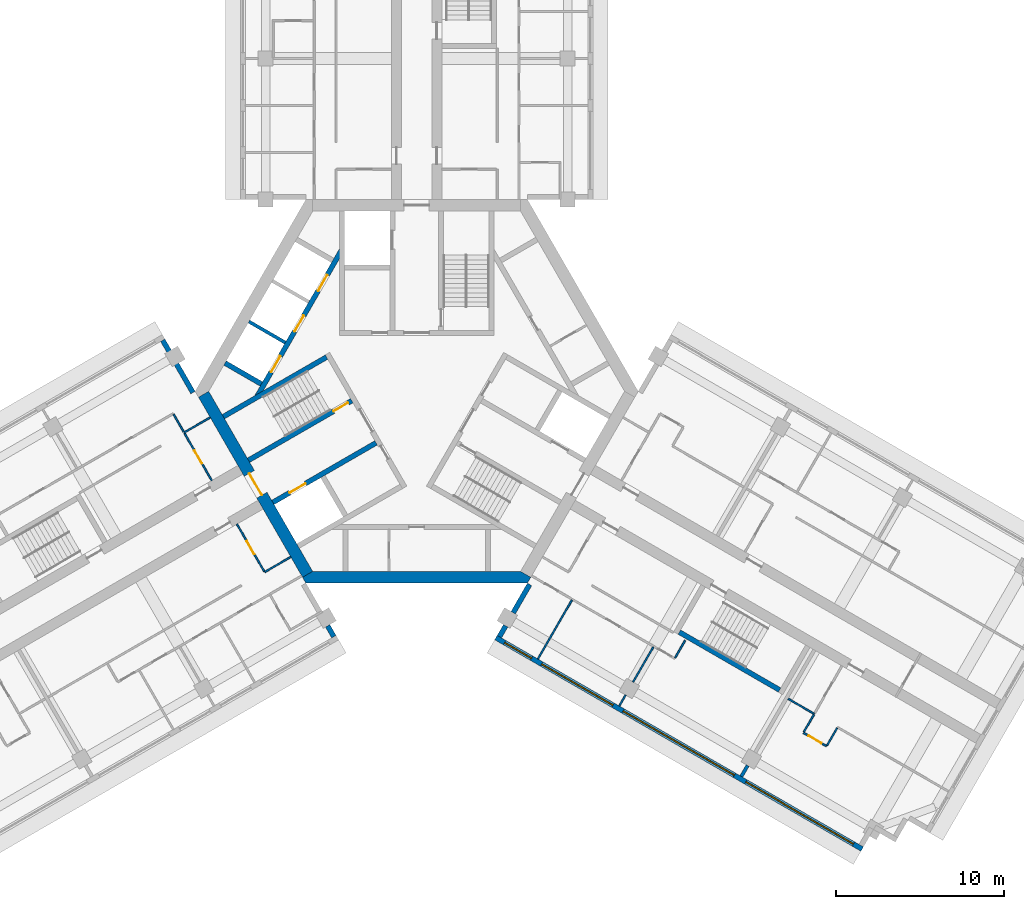
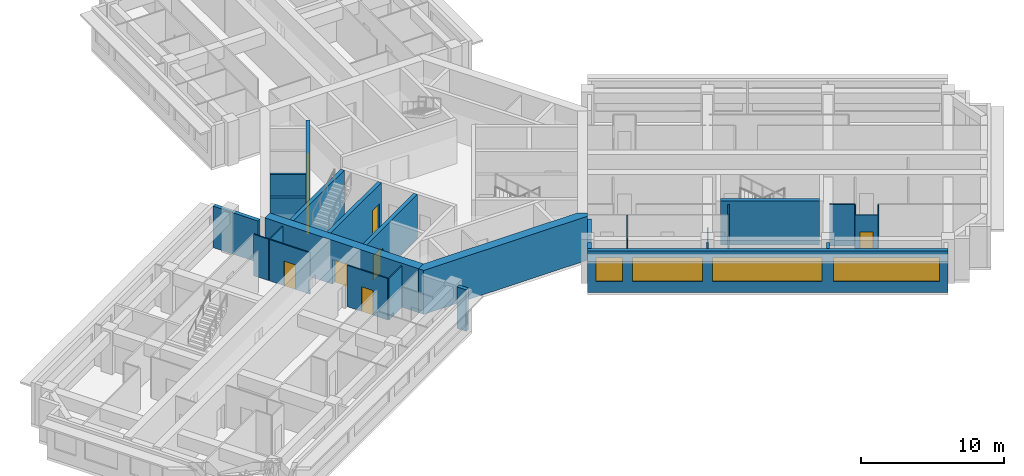
# One storey, part 4 of 10: 28 walls, 9 doors, 4 windows, 13 openings.
"""IFC4 building model written with IfcOpenShell, lengths in metres."""

from ifc_helpers import new_model, si_unit, direction, frame, frame_2d, origin, place, context, subcontext, project, spatial, polyline, rectangle, outline, extrude, material, layer, layer_set, type_object, element, fill, save


model = new_model("IFC4")

# Units and contexts
model_context = context("Model", 3, precision=1e-05, world=origin(), true_north=direction((0.0, 1.0)))
body_context = subcontext(model_context, "Body", "Model", "MODEL_VIEW")
ifc_project = project(units=[si_unit("LENGTHUNIT", "METRE"), si_unit("AREAUNIT", "SQUARE_METRE"), si_unit("VOLUMEUNIT", "CUBIC_METRE"), si_unit("PLANEANGLEUNIT", "RADIAN"), si_unit("MASSUNIT", "GRAM", prefix="KILO")], contexts=[model_context])

# Site, building, storey
site_placement = place(None, origin())
site = spatial("IfcSite", under=ifc_project, at=site_placement, CompositionType="ELEMENT")
building_placement = place(site_placement, origin())
building = spatial("IfcBuilding", under=site, at=building_placement, Name="Impinga Residences", CompositionType="ELEMENT")
storey_placement = place(building_placement, frame((0.0, 0.0, 192.25)))
storey = spatial("IfcBuildingStorey", under=building, at=storey_placement, Name="L47", CompositionType="ELEMENT", Elevation=192.25)

# Wall
ifc_material_1 = material(Name="Terracotta rainscreen on blockwork", Category="masonry")
ifc_layer_1 = layer(ifc_material_1, 0.300048828125)
ifc_layer_set_1 = layer_set([ifc_layer_1], Name="EW1 external wall, terracotta rainscreen on blockwork 300")
wall_type_1 = type_object("IfcWallType", Name="EW1 external wall, terracotta rainscreen on blockwork 300", PredefinedType="SOLIDWALL", material=ifc_layer_set_1)
wall_1_placement = place(storey_placement, frame((-15.1298828125, 3.042724609375, 0.0), z_axis=(0.0, 0.0, 1.0), x_axis=(0.500012057535, -0.866018442252, 0.0)))
element("IfcWall", 1, at=wall_1_placement, inside=storey, type_object=wall_type_1, Name="External wall EW1 L47", PredefinedType="SOLIDWALL", context=body_context, shape_type="SweptSolid", body=[
    extrude(rectangle(XDim=3.60009765625, YDim=0.300048828125, at=frame_2d((1.800048828125, 0.0))), origin(), (0.0, 0.0, 1.0), 3.530029296875),
])

# Wall, openings, windows
wall_2_placement = place(storey_placement, frame((26.548828125, -27.279052734375, 0.0), z_axis=(0.0, 0.0, 1.0), x_axis=(-0.866026832479, 0.499997525421, 0.0)))
wall_2 = element("IfcWall", 2, at=wall_2_placement, inside=storey, type_object=wall_type_1, Name="External wall EW1 L47", PredefinedType="SOLIDWALL", context=body_context, shape_type="SweptSolid", body=[
    extrude(rectangle(XDim=25.199951171875, YDim=0.300048828125, at=frame_2d((12.60009765625, 0.0))), origin(), (0.0, 0.0, 1.0), 3.530029296875),
])
opening_1_placement = place(wall_2_placement, frame((0.60009765625, 0.0, 0.89990234375)))
opening_1 = element("IfcOpeningElement", 3, at=opening_1_placement, cuts=wall_2, Name="Opening W12", PredefinedType="OPENING", context=body_context, shape_type="SweptSolid", body=[
    extrude(rectangle(XDim=7.39990234375, YDim=2.050048828125, at=frame_2d((3.699951171875, 1.02490234375))), frame((0.0, 0.159912109375, 0.0), z_axis=(0.0, -1.0, 0.0), x_axis=(1.0, 0.0, 0.0)), (0.0, 0.0, 1.0), 0.320068359375),
])
opening_2_placement = place(wall_2_placement, frame((8.800048828125, 0.0, 0.89990234375)))
opening_2 = element("IfcOpeningElement", 4, at=opening_2_placement, cuts=wall_2, Name="Opening W13", PredefinedType="OPENING", context=body_context, shape_type="SweptSolid", body=[
    extrude(rectangle(XDim=7.64990234375, YDim=2.050048828125, at=frame_2d((3.824951171875, 1.02490234375))), frame((0.0, 0.159912109375, 0.0), z_axis=(0.0, -1.0, 0.0), x_axis=(1.0, 0.0, 0.0)), (0.0, 0.0, 1.0), 0.320068359375),
])
opening_3_placement = place(wall_2_placement, frame((17.14990234375, 0.0, 0.89990234375)))
opening_3 = element("IfcOpeningElement", 5, at=opening_3_placement, cuts=wall_2, Name="Opening W16", PredefinedType="OPENING", context=body_context, shape_type="SweptSolid", body=[
    extrude(rectangle(XDim=4.89990234375, YDim=2.050048828125, at=frame_2d((2.449951171875, 1.02490234375))), frame((0.0, 0.159912109375, 0.0), z_axis=(0.0, -1.0, 0.0), x_axis=(1.0, 0.0, 0.0)), (0.0, 0.0, 1.0), 0.320068359375),
])
opening_4_placement = place(wall_2_placement, frame((22.75, 0.0, 0.89990234375)))
opening_4 = element("IfcOpeningElement", 6, at=opening_4_placement, cuts=wall_2, Name="Opening W15", PredefinedType="OPENING", context=body_context, shape_type="SweptSolid", body=[
    extrude(rectangle(XDim=1.85009765625, YDim=2.050048828125, at=frame_2d((0.925048828125, 1.02490234375))), frame((0.0, 0.159912109375, 0.0), z_axis=(0.0, -1.0, 0.0), x_axis=(1.0, 0.0, 0.0)), (0.0, 0.0, 1.0), 0.320068359375),
])
ifc_material_2 = material(Name="Aluminium window, clear double glazing", Category="aluminium")
window_type_1 = type_object("IfcWindowType", Name="W12 ribbon window 7400x2050", PartitioningType="SINGLE_PANEL", PredefinedType="WINDOW", material=ifc_material_2)
window_1_placement = place(opening_1_placement, origin())
window_1 = element("IfcWindow", 7, at=window_1_placement, inside=storey, type_object=window_type_1, Name="Window L47", OverallHeight=2.050048828125, OverallWidth=7.39990234375, PartitioningType="SINGLE_PANEL", PredefinedType="WINDOW", context=body_context, shape_type="SweptSolid", body=[
    extrude(rectangle(XDim=7.39990234375, YDim=2.050048828125, at=frame_2d((3.699951171875, 1.02490234375))), frame((0.0, 0.030029296875, 0.0), z_axis=(0.0, -1.0, 0.0), x_axis=(1.0, 0.0, 0.0)), (0.0, 0.0, 1.0), 0.06005859375),
])
fill(opening_1, window_1)
window_type_2 = type_object("IfcWindowType", Name="W13 ribbon window 7650x2050", PartitioningType="SINGLE_PANEL", PredefinedType="WINDOW", material=ifc_material_2)
window_2_placement = place(opening_2_placement, origin())
window_2 = element("IfcWindow", 8, at=window_2_placement, inside=storey, type_object=window_type_2, Name="Window L47", OverallHeight=2.050048828125, OverallWidth=7.64990234375, PartitioningType="SINGLE_PANEL", PredefinedType="WINDOW", context=body_context, shape_type="SweptSolid", body=[
    extrude(rectangle(XDim=7.64990234375, YDim=2.050048828125, at=frame_2d((3.824951171875, 1.02490234375))), frame((0.0, 0.030029296875, 0.0), z_axis=(0.0, -1.0, 0.0), x_axis=(1.0, 0.0, 0.0)), (0.0, 0.0, 1.0), 0.06005859375),
])
fill(opening_2, window_2)
window_type_3 = type_object("IfcWindowType", Name="W15 ribbon window 1850x2050", PartitioningType="SINGLE_PANEL", PredefinedType="WINDOW", material=ifc_material_2)
window_3_placement = place(opening_4_placement, origin())
window_3 = element("IfcWindow", 9, at=window_3_placement, inside=storey, type_object=window_type_3, Name="Window L47", OverallHeight=2.050048828125, OverallWidth=1.85009765625, PartitioningType="SINGLE_PANEL", PredefinedType="WINDOW", context=body_context, shape_type="SweptSolid", body=[
    extrude(rectangle(XDim=1.85009765625, YDim=2.050048828125, at=frame_2d((0.925048828125, 1.02490234375))), frame((0.0, 0.030029296875, 0.0), z_axis=(0.0, -1.0, 0.0), x_axis=(1.0, 0.0, 0.0)), (0.0, 0.0, 1.0), 0.06005859375),
])
fill(opening_4, window_3)
window_type_4 = type_object("IfcWindowType", Name="W16 ribbon window 4900x2050", PartitioningType="SINGLE_PANEL", PredefinedType="WINDOW", material=ifc_material_2)
window_4_placement = place(opening_3_placement, origin())
window_4 = element("IfcWindow", 10, at=window_4_placement, inside=storey, type_object=window_type_4, Name="Window L47", OverallHeight=2.050048828125, OverallWidth=4.89990234375, PartitioningType="SINGLE_PANEL", PredefinedType="WINDOW", context=body_context, shape_type="SweptSolid", body=[
    extrude(rectangle(XDim=4.89990234375, YDim=2.050048828125, at=frame_2d((2.449951171875, 1.02490234375))), frame((0.0, 0.030029296875, 0.0), z_axis=(0.0, -1.0, 0.0), x_axis=(1.0, 0.0, 0.0)), (0.0, 0.0, 1.0), 0.06005859375),
])
fill(opening_3, window_4)

# Walls
wall_3_placement = place(storey_placement, frame((4.929931640625, -14.624267578125, 0.0), z_axis=(0.0, 0.0, 1.0), x_axis=(0.499919672301, 0.866071776036, 0.0)))
element("IfcWall", 11, at=wall_3_placement, inside=storey, type_object=wall_type_1, Name="External wall EW1 L47", PredefinedType="SOLIDWALL", context=body_context, shape_type="SweptSolid", body=[
    extrude(rectangle(XDim=0.75, YDim=0.300048828125, at=frame_2d((0.375, 0.0))), origin(), (0.0, 0.0, 1.0), 3.530029296875),
])
wall_4_placement = place(storey_placement, frame((5.7548828125, -13.1953125, 0.0), z_axis=(0.0, 0.0, 1.0), x_axis=(0.500043961785, 0.866000020948, 0.0)))
element("IfcWall", 12, at=wall_4_placement, inside=storey, type_object=wall_type_1, Name="External wall EW1 L47", PredefinedType="SOLIDWALL", context=body_context, shape_type="SweptSolid", body=[
    extrude(rectangle(XDim=1.949951171875, YDim=0.300048828125, at=frame_2d((0.97509765625, 0.0))), origin(), (0.0, 0.0, 1.0), 3.530029296875),
])
wall_5_placement = place(storey_placement, frame((-5.304931640625, -13.974609375, 0.0), z_axis=(0.0, 0.0, 1.0), x_axis=(0.499919672301, -0.866071776036, 0.0)))
element("IfcWall", 13, at=wall_5_placement, inside=storey, type_object=wall_type_1, Name="External wall EW1 L47", PredefinedType="SOLIDWALL", context=body_context, shape_type="SweptSolid", body=[
    extrude(rectangle(XDim=0.75, YDim=0.300048828125, at=frame_2d((0.375, 0.0))), origin(), (0.0, 0.0, 1.0), 3.530029296875),
])
ifc_material_3 = material(Name="Gypsum board on steel studs", Category="steel")
ifc_layer_2 = layer(ifc_material_3, 0.10009765625)
ifc_layer_set_2 = layer_set([ifc_layer_2], Name="Gypsum board on steel studs")
wall_type_2 = type_object("IfcWallType", Name="IP1 partition 100", PredefinedType="PARTITIONING", material=ifc_layer_set_2)
wall_6_placement = place(storey_placement, frame((-7.5, -9.872802734375, 0.0), z_axis=(0.0, 0.0, 1.0), x_axis=(-0.866047807691, -0.499961193289, 0.0)))
element("IfcWall", 14, at=wall_6_placement, inside=storey, type_object=wall_type_2, Name="Partition L47-WA1:DIV0", PredefinedType="PARTITIONING", context=body_context, shape_type="SweptSolid", body=[
    extrude(rectangle(XDim=1.800048828125, YDim=0.10009765625, at=frame_2d((0.89990234375, 0.0))), origin(), (0.0, 0.0, 1.0), 3.530029296875),
])

# Wall, opening, door
wall_7_placement = place(storey_placement, frame((-10.708740234375, -7.914794921875, 0.0), z_axis=(0.0, 0.0, 1.0), x_axis=(0.499984717929, -0.866034226713, 0.0)))
wall_7 = element("IfcWall", 15, at=wall_7_placement, inside=storey, type_object=wall_type_2, Name="Partition L47-WA1:IB1", PredefinedType="PARTITIONING", context=body_context, shape_type="SweptSolid", body=[
    extrude(rectangle(XDim=3.25, YDim=0.10009765625, at=frame_2d((1.625, 0.0))), origin(), (0.0, 0.0, 1.0), 3.530029296875),
])
opening_5_placement = place(wall_7_placement, frame((1.175048828125, 0.0, 0.0)))
opening_5 = element("IfcOpeningElement", 16, at=opening_5_placement, cuts=wall_7, Name="Opening D2", PredefinedType="OPENING", context=body_context, shape_type="SweptSolid", body=[
    extrude(rectangle(XDim=0.89990234375, YDim=2.10009765625, at=frame_2d((0.449951171875, 1.050048828125))), frame((0.0, 0.06005859375, 0.0), z_axis=(0.0, -1.0, 0.0), x_axis=(1.0, 0.0, 0.0)), (0.0, 0.0, 1.0), 0.1201171875),
])
ifc_material_4 = material(Name="Timber door set", Category="wood")
door_type_1 = type_object("IfcDoorType", Name="D2 internal door 900x2100", OperationType="SINGLE_SWING_LEFT", PredefinedType="DOOR", material=ifc_material_4)
door_1_placement = place(opening_5_placement, origin())
door_1 = element("IfcDoor", 17, at=door_1_placement, inside=storey, type_object=door_type_1, Name="Apartment L47-WA1 bathroom door", OperationType="SINGLE_SWING_LEFT", OverallHeight=2.10009765625, OverallWidth=0.89990234375, PredefinedType="DOOR", context=body_context, shape_type="SweptSolid", body=[
    extrude(rectangle(XDim=0.89990234375, YDim=2.10009765625, at=frame_2d((0.449951171875, 1.050048828125))), frame((0.0, 0.02490234375, 0.0), z_axis=(0.0, -1.0, 0.0), x_axis=(1.0, 0.0, 0.0)), (0.0, 0.0, 1.0), 0.050048828125),
])
fill(opening_5, door_1)

# Walls
wall_8_placement = place(storey_placement, frame((-12.300048828125, -1.558837890625, 0.0), z_axis=(0.0, 0.0, 1.0), x_axis=(-0.866047807691, -0.499961193289, 0.0)))
element("IfcWall", 18, at=wall_8_placement, inside=storey, type_object=wall_type_2, Name="Partition L47-WF1:DIV0", PredefinedType="PARTITIONING", context=body_context, shape_type="SweptSolid", body=[
    extrude(rectangle(XDim=1.800048828125, YDim=0.10009765625, at=frame_2d((0.89990234375, 0.0))), origin(), (0.0, 0.0, 1.0), 3.530029296875),
])
wall_9_placement = place(storey_placement, frame((-13.8837890625, -2.41552734375, 0.0), z_axis=(0.0, 0.0, 1.0), x_axis=(-0.500033551112, 0.866006032174, 0.0)))
element("IfcWall", 19, at=wall_9_placement, inside=storey, type_object=wall_type_2, Name="Partition L47-WF1:SE0", PredefinedType="PARTITIONING", context=body_context, shape_type="SweptSolid", body=[
    extrude(rectangle(XDim=1.2001953125, YDim=0.10009765625, at=frame_2d((0.60009765625, 0.0))), origin(), (0.0, 0.0, 1.0), 3.530029296875),
])

# Wall, opening, door
wall_10_placement = place(storey_placement, frame((-12.208740234375, -5.316650390625, 0.0), z_axis=(0.0, 0.0, 1.0), x_axis=(-0.500017246033, 0.866015446554, 0.0)))
wall_10 = element("IfcWall", 20, at=wall_10_placement, inside=storey, type_object=wall_type_2, Name="Partition L47-WF1:IB1", PredefinedType="PARTITIONING", context=body_context, shape_type="SweptSolid", body=[
    extrude(rectangle(XDim=3.25, YDim=0.10009765625, at=frame_2d((1.625, 0.0))), origin(), (0.0, 0.0, 1.0), 3.530029296875),
])
opening_6_placement = place(wall_10_placement, frame((1.175048828125, 0.0, 0.0)))
opening_6 = element("IfcOpeningElement", 21, at=opening_6_placement, cuts=wall_10, Name="Opening D2", PredefinedType="OPENING", context=body_context, shape_type="SweptSolid", body=[
    extrude(rectangle(XDim=0.89990234375, YDim=2.10009765625, at=frame_2d((0.449951171875, 1.050048828125))), frame((0.0, 0.06005859375, 0.0), z_axis=(0.0, -1.0, 0.0), x_axis=(1.0, 0.0, 0.0)), (0.0, 0.0, 1.0), 0.1201171875),
])
door_2_placement = place(opening_6_placement, origin())
door_2 = element("IfcDoor", 22, at=door_2_placement, inside=storey, type_object=door_type_1, Name="Apartment L47-WF1 bathroom door", OperationType="SINGLE_SWING_LEFT", OverallHeight=2.10009765625, OverallWidth=0.89990234375, PredefinedType="DOOR", context=body_context, shape_type="SweptSolid", body=[
    extrude(rectangle(XDim=0.89990234375, YDim=2.10009765625, at=frame_2d((0.449951171875, 1.050048828125))), frame((0.0, 0.02490234375, 0.0), z_axis=(0.0, -1.0, 0.0), x_axis=(1.0, 0.0, 0.0)), (0.0, 0.0, 1.0), 0.050048828125),
])
fill(opening_6, door_2)

# Walls
wall_11_placement = place(storey_placement, frame((16.00537109375, -14.841064453125, 0.0), z_axis=(0.0, 0.0, 1.0), x_axis=(-0.50012165622, -0.865955154139, 0.0)))
element("IfcWall", 23, at=wall_11_placement, inside=storey, type_object=wall_type_2, Name="Partition L47-EF1:SE1", PredefinedType="PARTITIONING", context=body_context, shape_type="SweptSolid", body=[
    extrude(rectangle(XDim=1.199951171875, YDim=0.10009765625, at=frame_2d((0.60009765625, 0.0))), origin(), (0.0, 0.0, 1.0), 3.530029296875),
])
wall_12_placement = place(storey_placement, frame((9.249755859375, -12.44189453125, 0.0), z_axis=(0.0, 0.0, 1.0), x_axis=(-0.499990325971, -0.866030989016, 0.0)))
element("IfcWall", 24, at=wall_12_placement, inside=storey, type_object=wall_type_2, Name="Partition L47-EF1:OB1", PredefinedType="PARTITIONING", context=body_context, shape_type="SweptSolid", body=[
    extrude(rectangle(XDim=4.0498046875, YDim=0.10009765625, at=frame_2d((2.02490234375, 0.0))), origin(), (0.0, 0.0, 1.0), 3.530029296875),
])
wall_13_placement = place(storey_placement, frame((14.099609375, -15.241943359375, 0.0), z_axis=(0.0, 0.0, 1.0), x_axis=(-0.500001309137, -0.866024647952, 0.0)))
element("IfcWall", 25, at=wall_13_placement, inside=storey, type_object=wall_type_2, Name="Partition L47-EF1:OB2", PredefinedType="PARTITIONING", context=body_context, shape_type="SweptSolid", body=[
    extrude(rectangle(XDim=2.39990234375, YDim=0.10009765625, at=frame_2d((1.199951171875, 0.0))), origin(), (0.0, 0.0, 1.0), 2.47998046875),
])
wall_14_placement = place(storey_placement, frame((12.44970703125, -18.099609375, 0.0), z_axis=(0.0, 0.0, 1.0), x_axis=(-0.499919672301, -0.866071776036, 0.0)))
element("IfcWall", 26, at=wall_14_placement, inside=storey, type_object=wall_type_2, Name="Partition L47-EF1:OB2b", PredefinedType="PARTITIONING", context=body_context, shape_type="SweptSolid", body=[
    extrude(rectangle(XDim=0.75, YDim=0.10009765625, at=frame_2d((0.375, 0.0))), origin(), (0.0, 0.0, 1.0), 3.530029296875),
])
wall_15_placement = place(storey_placement, frame((22.1357421875, -18.32275390625, 0.0), z_axis=(0.0, 0.0, 1.0), x_axis=(0.866047807691, -0.499961193289, 0.0)))
element("IfcWall", 27, at=wall_15_placement, inside=storey, type_object=wall_type_2, Name="Partition L47-EF2:DIV0", PredefinedType="PARTITIONING", context=body_context, shape_type="SweptSolid", body=[
    extrude(rectangle(XDim=1.800048828125, YDim=0.10009765625, at=frame_2d((0.89990234375, 0.0))), origin(), (0.0, 0.0, 1.0), 3.530029296875),
])

# Wall, opening, door
wall_16_placement = place(storey_placement, frame((23.044677734375, -20.3486328125, 0.0), z_axis=(0.0, 0.0, 1.0), x_axis=(0.866094119867, -0.499880961361, 0.0)))
wall_16 = element("IfcWall", 28, at=wall_16_placement, inside=storey, type_object=wall_type_2, Name="Partition L47-EF2:STRIP", PredefinedType="PARTITIONING", context=body_context, shape_type="SweptSolid", body=[
    extrude(rectangle(XDim=1.60009765625, YDim=0.10009765625, at=frame_2d((0.800048828125, 0.0))), origin(), (0.0, 0.0, 1.0), 3.530029296875),
])
opening_7_placement = place(wall_16_placement, frame((0.35009765625, 0.0, 0.0)))
opening_7 = element("IfcOpeningElement", 29, at=opening_7_placement, cuts=wall_16, Name="Opening D2", PredefinedType="OPENING", context=body_context, shape_type="SweptSolid", body=[
    extrude(rectangle(XDim=0.89990234375, YDim=2.10009765625, at=frame_2d((0.449951171875, 1.050048828125))), frame((0.0, 0.06005859375, 0.0), z_axis=(0.0, -1.0, 0.0), x_axis=(1.0, 0.0, 0.0)), (0.0, 0.0, 1.0), 0.1201171875),
])
door_3_placement = place(opening_7_placement, origin())
door_3 = element("IfcDoor", 30, at=door_3_placement, inside=storey, type_object=door_type_1, Name="Apartment L47-EF2 room door", OperationType="SINGLE_SWING_LEFT", OverallHeight=2.10009765625, OverallWidth=0.89990234375, PredefinedType="DOOR", context=body_context, shape_type="SweptSolid", body=[
    extrude(rectangle(XDim=0.89990234375, YDim=2.10009765625, at=frame_2d((0.449951171875, 1.050048828125))), frame((0.0, 0.02490234375, 0.0), z_axis=(0.0, -1.0, 0.0), x_axis=(1.0, 0.0, 0.0)), (0.0, 0.0, 1.0), 0.050048828125),
])
fill(opening_7, door_3)

# Walls
for number, where, z_axis, x_axis, name in (
    (31, (23.669677734375, -19.265869140625, 0.0), (0.0, 0.0, 1.0), (-0.500033551112, -0.866006032174, 0.0), "Partition L47-EF2:SE0"),
    (32, (25.055419921875, -20.06591796875, 0.0), (0.0, 0.0, 1.0), (-0.500033551112, -0.866006032174, 0.0), "Partition L47-EF2:SE1"),
):
    element("IfcWall", number, at=place(storey_placement, frame(where, z_axis=z_axis, x_axis=x_axis)), inside=storey, type_object=wall_type_2, Name=name, PredefinedType="PARTITIONING", context=body_context, shape_type="SweptSolid", body=[
        extrude(rectangle(XDim=1.2001953125, YDim=0.10009765625, at=frame_2d((0.60009765625, 0.0))), origin(), (0.0, 0.0, 1.0), 3.530029296875),
    ])
ifc_material_5 = material(Name="Concrete blockwork", Category="masonry")
ifc_layer_3 = layer(ifc_material_5, 0.199951171875)
ifc_layer_set_3 = layer_set([ifc_layer_3], Name="PW1 party wall between apartments 200")
wall_type_3 = type_object("IfcWallType", Name="PW1 party wall between apartments 200", PredefinedType="SOLIDWALL", material=ifc_layer_set_3)
wall_17_placement = place(storey_placement, frame((19.72412109375, -22.2998046875, 0.0), z_axis=(0.0, 0.0, 1.0), x_axis=(-0.500060622324, -0.86599040064, 0.0)))
element("IfcWall", 33, at=wall_17_placement, inside=storey, type_object=wall_type_3, Name="Party wall between apartments L47-EF1:PARTYb", PredefinedType="SOLIDWALL", context=body_context, shape_type="SweptSolid", body=[
    extrude(rectangle(XDim=0.75, YDim=0.199951171875, at=frame_2d((0.375, 0.0))), origin(), (0.0, 0.0, 1.0), 3.530029296875),
])
ifc_material_6 = material(Name="Concrete C60/75", Category="concrete")
ifc_layer_4 = layer(ifc_material_6, 0.300048828125)
ifc_layer_set_4 = layer_set([ifc_layer_4], Name="Concrete C60/75")
wall_type_4 = type_object("IfcWallType", Name="SE1 wing stair enclosure wall 300", PredefinedType="SOLIDWALL", material=ifc_layer_set_4)
wall_18_placement = place(storey_placement, frame((15.654052734375, -14.349365234375, 0.0), z_axis=(0.0, 0.0, 1.0), x_axis=(0.866013532718, -0.500020560727, 0.0)))
element("IfcWall", 34, at=wall_18_placement, inside=storey, type_object=wall_type_4, Name="Stair enclosure wall SE1 E OUT L47", PredefinedType="SOLIDWALL", context=body_context, shape_type="SweptSolid", body=[
    extrude(rectangle(XDim=6.900146484375, YDim=0.300048828125, at=frame_2d((3.4501953125, 0.0))), origin(), (0.0, 0.0, 1.0), 3.75),
])

# Wall, opening, door
ifc_layer_5 = layer(ifc_material_6, 0.699951171875)
ifc_layer_set_5 = layer_set([ifc_layer_5], Name="Concrete C60/75")
wall_type_5 = type_object("IfcWallType", Name="SW3 core wall 700", PredefinedType="SHEAR", material=ifc_layer_set_5)
wall_19_placement = place(storey_placement, frame((-6.4990234375, -10.906494140625, 0.0), z_axis=(0.0, 0.0, 1.0), x_axis=(-0.499999875397, 0.866025475724, 0.0)))
wall_19 = element("IfcWall", 35, at=wall_19_placement, inside=storey, type_object=wall_type_5, Name="Core wall SW3 W:FACE L47", PredefinedType="SHEAR", context=body_context, shape_type="SweptSolid", body=[
    extrude(rectangle(XDim=12.3916015625, YDim=0.699951171875, at=frame_2d((6.19580078125, 0.0))), origin(), (0.0, 0.0, 1.0), 3.75),
])
opening_8_placement = place(wall_19_placement, frame((5.44580078125, 0.0, 0.0)))
opening_8 = element("IfcOpeningElement", 36, at=opening_8_placement, cuts=wall_19, Name="Opening D4", PredefinedType="OPENING", context=body_context, shape_type="SweptSolid", body=[
    extrude(rectangle(XDim=1.5, YDim=2.10009765625, at=frame_2d((0.75, 1.050048828125))), frame((0.0, 0.35986328125, 0.0), z_axis=(0.0, -1.0, 0.0), x_axis=(1.0, 0.0, 0.0)), (0.0, 0.0, 1.0), 0.719970703125),
])
door_type_2 = type_object("IfcDoorType", Name="D4 lobby door pair 1500x2100", OperationType="DOUBLE_DOOR_DOUBLE_SWING", PredefinedType="DOOR", material=ifc_material_4)
door_4_placement = place(opening_8_placement, origin())
door_4 = element("IfcDoor", 37, at=door_4_placement, inside=storey, type_object=door_type_2, Name="Lobby door W", OperationType="DOUBLE_DOOR_DOUBLE_SWING", OverallHeight=2.10009765625, OverallWidth=1.5, PredefinedType="DOOR", context=body_context, shape_type="SweptSolid", body=[
    extrude(rectangle(XDim=1.5, YDim=2.10009765625, at=frame_2d((0.75, 1.050048828125))), frame((0.0, 0.02490234375, 0.0), z_axis=(0.0, -1.0, 0.0), x_axis=(1.0, 0.0, 0.0)), (0.0, 0.0, 1.0), 0.050048828125),
])
fill(opening_8, door_4)

# Wall
wall_20_placement = place(storey_placement, origin())
element("IfcWall", 38, at=wall_20_placement, inside=storey, type_object=wall_type_5, Name="Core wall SW3 N:EXPOSED L47", PredefinedType="SHEAR", context=body_context, shape_type="SweptSolid", body=[
    extrude(outline(polyline([(-6.60009765625, -11.431640625), (6.60009765625, -11.431640625), (6.802001953125, -11.08154296875), (6.19580078125, -10.7314453125), (-6.19580078125, -10.7314453125), (-6.802001953125, -11.08154296875), (-6.60009765625, -11.431640625)])), origin(), (0.0, 0.0, 1.0), 3.75),
])

# Wall, opening, door
ifc_material_7 = material(Name="Concrete C70/85", Category="concrete")
ifc_layer_6 = layer(ifc_material_7, 0.300048828125)
ifc_layer_set_6 = layer_set([ifc_layer_6], Name="Concrete C70/85")
wall_type_6 = type_object("IfcWallType", Name="SW5 core inner wall, stairs, shafts and lobbies 300", PredefinedType="SHEAR", material=ifc_layer_set_6)
wall_21_placement = place(storey_placement, frame((-3.86865234375, -0.559326171875, 0.0), z_axis=(0.0, 0.0, 1.0), x_axis=(-0.866025859768, -0.499999210213, 0.0)))
wall_21 = element("IfcWall", 39, at=wall_21_placement, inside=storey, type_object=wall_type_6, Name="Core wall SW5 W:ST-IN L47", PredefinedType="SHEAR", context=body_context, shape_type="SweptSolid", body=[
    extrude(rectangle(XDim=7.1015625, YDim=0.300048828125, at=frame_2d((3.55078125, 0.0))), origin(), (0.0, 0.0, 1.0), 3.75),
])
opening_9_placement = place(wall_21_placement, frame((0.25, 0.0, 0.0)))
opening_9 = element("IfcOpeningElement", 40, at=opening_9_placement, cuts=wall_21, Name="Opening D5", PredefinedType="OPENING", context=body_context, shape_type="SweptSolid", body=[
    extrude(rectangle(XDim=1.0, YDim=2.10009765625, at=frame_2d((0.5, 1.050048828125))), frame((0.0, 0.159912109375, 0.0), z_axis=(0.0, -1.0, 0.0), x_axis=(1.0, 0.0, 0.0)), (0.0, 0.0, 1.0), 0.320068359375),
])
door_type_3 = type_object("IfcDoorType", Name="D5 stair door 1000x2100", OperationType="SINGLE_SWING_LEFT", PredefinedType="DOOR", material=ifc_material_4)
door_5_placement = place(opening_9_placement, origin())
door_5 = element("IfcDoor", 41, at=door_5_placement, inside=storey, type_object=door_type_3, Name="Stair door W", OperationType="SINGLE_SWING_LEFT", OverallHeight=2.10009765625, OverallWidth=1.0, PredefinedType="DOOR", context=body_context, shape_type="SweptSolid", body=[
    extrude(rectangle(XDim=1.0, YDim=2.10009765625, at=frame_2d((0.5, 1.050048828125))), frame((0.0, 0.02490234375, 0.0), z_axis=(0.0, -1.0, 0.0), x_axis=(1.0, 0.0, 0.0)), (0.0, 0.0, 1.0), 0.050048828125),
])
fill(opening_9, door_5)

# Wall
wall_22_placement = place(storey_placement, frame((-5.36865234375, 2.038818359375, 0.0), z_axis=(0.0, 0.0, 1.0), x_axis=(-0.866025859768, -0.499999210213, 0.0)))
element("IfcWall", 42, at=wall_22_placement, inside=storey, type_object=wall_type_6, Name="Core wall SW5 W:ST-OUT L47", PredefinedType="SHEAR", context=body_context, shape_type="SweptSolid", body=[
    extrude(rectangle(XDim=7.1015625, YDim=0.300048828125, at=frame_2d((3.55078125, 0.0))), origin(), (0.0, 0.0, 1.0), 3.75),
])

# Wall, opening, door
wall_23_placement = place(storey_placement, frame((-2.418701171875, -3.07080078125, 0.0), z_axis=(0.0, 0.0, 1.0), x_axis=(-0.866025859768, -0.499999210213, 0.0)))
wall_23 = element("IfcWall", 43, at=wall_23_placement, inside=storey, type_object=wall_type_6, Name="Core wall SW5 W:FF-IN L47", PredefinedType="SHEAR", context=body_context, shape_type="SweptSolid", body=[
    extrude(rectangle(XDim=7.1015625, YDim=0.300048828125, at=frame_2d((3.55078125, 0.0))), origin(), (0.0, 0.0, 1.0), 3.75),
])
opening_10_placement = place(wall_23_placement, frame((4.85009765625, 0.0, 0.0)))
opening_10 = element("IfcOpeningElement", 44, at=opening_10_placement, cuts=wall_23, Name="Opening LD2", PredefinedType="OPENING", context=body_context, shape_type="SweptSolid", body=[
    extrude(rectangle(XDim=1.10009765625, YDim=2.10009765625, at=frame_2d((0.550048828125, 1.050048828125))), frame((0.0, 0.159912109375, 0.0), z_axis=(0.0, -1.0, 0.0), x_axis=(1.0, 0.0, 0.0)), (0.0, 0.0, 1.0), 0.320068359375),
])
ifc_material_8 = material(Name="Steel lift landing door", Category="steel")
door_type_4 = type_object("IfcDoorType", Name="LD2 firefighting lift landing door 1100x2100", OperationType="DOUBLE_DOOR_SLIDING", PredefinedType="DOOR", material=ifc_material_8)
door_6_placement = place(opening_10_placement, origin())
door_6 = element("IfcDoor", 45, at=door_6_placement, inside=storey, type_object=door_type_4, Name="Firefighting lift landing door F2", OperationType="DOUBLE_DOOR_SLIDING", OverallHeight=2.10009765625, OverallWidth=1.10009765625, PredefinedType="DOOR", context=body_context, shape_type="SweptSolid", body=[
    extrude(rectangle(XDim=1.10009765625, YDim=2.10009765625, at=frame_2d((0.550048828125, 1.050048828125))), frame((0.0, 0.02490234375, 0.0), z_axis=(0.0, -1.0, 0.0), x_axis=(1.0, 0.0, 0.0)), (0.0, 0.0, 1.0), 0.050048828125),
])
fill(opening_10, door_6)

# Wall, openings, doors
wall_24_placement = place(storey_placement, frame((-9.547607421875, -0.3740234375, 0.0), z_axis=(0.0, 0.0, 1.0), x_axis=(0.500002290144, 0.866024081565, 0.0)))
wall_24 = element("IfcWall", 46, at=wall_24_placement, inside=storey, type_object=wall_type_6, Name="Core wall SW5 E:BANK-FRONT L47", PredefinedType="SHEAR", context=body_context, shape_type="SweptSolid", body=[
    extrude(rectangle(XDim=10.1953125, YDim=0.300048828125, at=frame_2d((5.09765625, 0.0))), origin(), (0.0, 0.0, 1.0), 3.75),
])
opening_11_placement = place(wall_24_placement, frame((1.74755859375, 0.0, 0.0)))
opening_11 = element("IfcOpeningElement", 47, at=opening_11_placement, cuts=wall_24, Name="Opening LD1", PredefinedType="OPENING", context=body_context, shape_type="SweptSolid", body=[
    extrude(rectangle(XDim=1.10009765625, YDim=2.10009765625, at=frame_2d((0.550048828125, 1.050048828125))), frame((0.0, 0.159912109375, 0.0), z_axis=(0.0, -1.0, 0.0), x_axis=(1.0, 0.0, 0.0)), (0.0, 0.0, 1.0), 0.320068359375),
])
opening_12_placement = place(wall_24_placement, frame((4.547607421875, 0.0, 0.0)))
opening_12 = element("IfcOpeningElement", 48, at=opening_12_placement, cuts=wall_24, Name="Opening LD1", PredefinedType="OPENING", context=body_context, shape_type="SweptSolid", body=[
    extrude(rectangle(XDim=1.10009765625, YDim=2.10009765625, at=frame_2d((0.550048828125, 1.050048828125))), frame((0.0, 0.159912109375, 0.0), z_axis=(0.0, -1.0, 0.0), x_axis=(1.0, 0.0, 0.0)), (0.0, 0.0, 1.0), 0.320068359375),
])
opening_13_placement = place(wall_24_placement, frame((7.34765625, 0.0, 0.0)))
opening_13 = element("IfcOpeningElement", 49, at=opening_13_placement, cuts=wall_24, Name="Opening LD1", PredefinedType="OPENING", context=body_context, shape_type="SweptSolid", body=[
    extrude(rectangle(XDim=1.10009765625, YDim=2.10009765625, at=frame_2d((0.550048828125, 1.050048828125))), frame((0.0, 0.159912109375, 0.0), z_axis=(0.0, -1.0, 0.0), x_axis=(1.0, 0.0, 0.0)), (0.0, 0.0, 1.0), 0.320068359375),
])
door_type_5 = type_object("IfcDoorType", Name="LD1 passenger lift landing door 1100x2100", OperationType="DOUBLE_DOOR_SLIDING", PredefinedType="DOOR", material=ifc_material_8)
door_7_placement = place(opening_11_placement, origin())
door_7 = element("IfcDoor", 50, at=door_7_placement, inside=storey, type_object=door_type_5, Name="Lift landing door P7", OperationType="DOUBLE_DOOR_SLIDING", OverallHeight=2.10009765625, OverallWidth=1.10009765625, PredefinedType="DOOR", context=body_context, shape_type="SweptSolid", body=[
    extrude(rectangle(XDim=1.10009765625, YDim=2.10009765625, at=frame_2d((0.550048828125, 1.050048828125))), frame((0.0, 0.02490234375, 0.0), z_axis=(0.0, -1.0, 0.0), x_axis=(1.0, 0.0, 0.0)), (0.0, 0.0, 1.0), 0.050048828125),
])
fill(opening_11, door_7)
door_8_placement = place(opening_12_placement, origin())
door_8 = element("IfcDoor", 51, at=door_8_placement, inside=storey, type_object=door_type_5, Name="Lift landing door P8", OperationType="DOUBLE_DOOR_SLIDING", OverallHeight=2.10009765625, OverallWidth=1.10009765625, PredefinedType="DOOR", context=body_context, shape_type="SweptSolid", body=[
    extrude(rectangle(XDim=1.10009765625, YDim=2.10009765625, at=frame_2d((0.550048828125, 1.050048828125))), frame((0.0, 0.02490234375, 0.0), z_axis=(0.0, -1.0, 0.0), x_axis=(1.0, 0.0, 0.0)), (0.0, 0.0, 1.0), 0.050048828125),
])
fill(opening_12, door_8)
door_9_placement = place(opening_13_placement, origin())
door_9 = element("IfcDoor", 52, at=door_9_placement, inside=storey, type_object=door_type_5, Name="Lift landing door P9", OperationType="DOUBLE_DOOR_SLIDING", OverallHeight=2.10009765625, OverallWidth=1.10009765625, PredefinedType="DOOR", context=body_context, shape_type="SweptSolid", body=[
    extrude(rectangle(XDim=1.10009765625, YDim=2.10009765625, at=frame_2d((0.550048828125, 1.050048828125))), frame((0.0, 0.02490234375, 0.0), z_axis=(0.0, -1.0, 0.0), x_axis=(1.0, 0.0, 0.0)), (0.0, 0.0, 1.0), 0.050048828125),
])
fill(opening_13, door_9)

# Walls
wall_25_placement = place(storey_placement, frame((-9.253662109375, 0.43505859375, 0.0), z_axis=(0.0, 0.0, 1.0), x_axis=(-0.866022959057, 0.500004234368, 0.0)))
element("IfcWall", 53, at=wall_25_placement, inside=storey, type_object=wall_type_6, Name="Core wall SW5 E:BANK-L L47", PredefinedType="SHEAR", context=body_context, shape_type="SweptSolid", body=[
    extrude(rectangle(XDim=2.5, YDim=0.300048828125, at=frame_2d((1.25, 0.0))), origin(), (0.0, 0.0, 1.0), 3.75),
])
ifc_layer_7 = layer(ifc_material_7, 0.199951171875)
ifc_layer_set_7 = layer_set([ifc_layer_7], Name="Concrete C70/85")
wall_type_7 = type_object("IfcWallType", Name="SW6 lift shaft divider wall 200", PredefinedType="SHEAR", material=ifc_layer_set_7)
wall_26_placement = place(storey_placement, frame((-7.82861328125, 2.9033203125, 0.0), z_axis=(0.0, 0.0, 1.0), x_axis=(-0.866047370643, 0.499961950354, 0.0)))
element("IfcWall", 54, at=wall_26_placement, inside=storey, type_object=wall_type_7, Name="Core wall SW6 E:BANK-D1 L47", PredefinedType="SHEAR", context=body_context, shape_type="SweptSolid", body=[
    extrude(rectangle(XDim=2.500244140625, YDim=0.199951171875, at=frame_2d((1.25, 0.0))), origin(), (0.0, 0.0, 1.0), 3.75),
])

save(model, "model.ifc")
